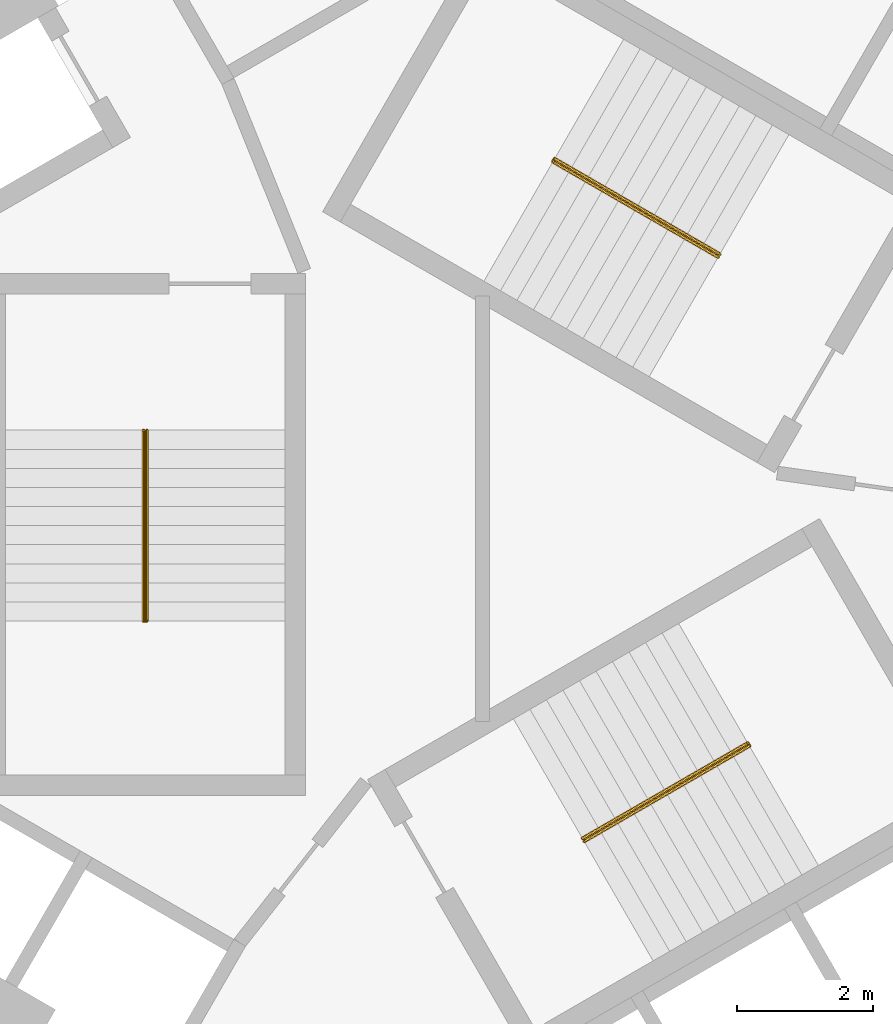
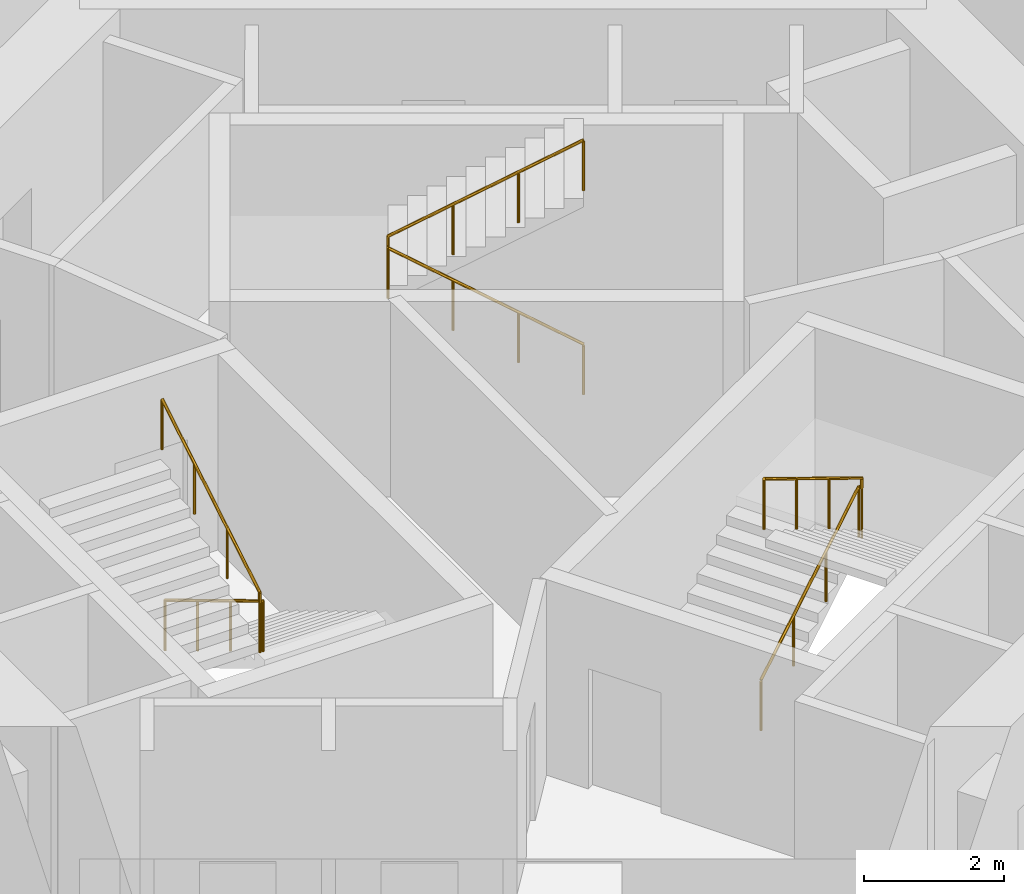
# One storey, part 10 of 10: 3 railings.
"""IFC4 building model written with IfcOpenShell, lengths in metres."""

from ifc_helpers import new_model, si_unit, direction, frame, origin, origin_2d, place, context, subcontext, project, spatial, circle, extrude, material, type_object, element, save


model = new_model("IFC4")

# Units and contexts
model_context = context("Model", 3, precision=1e-05, world=origin(), true_north=direction((0.0, 1.0)))
body_context = subcontext(model_context, "Body", "Model", "MODEL_VIEW")
ifc_project = project(units=[si_unit("LENGTHUNIT", "METRE"), si_unit("AREAUNIT", "SQUARE_METRE"), si_unit("VOLUMEUNIT", "CUBIC_METRE"), si_unit("PLANEANGLEUNIT", "RADIAN"), si_unit("MASSUNIT", "GRAM", prefix="KILO")], contexts=[model_context])

# Site, building, storey
site_placement = place(None, origin())
site = spatial("IfcSite", under=ifc_project, at=site_placement, CompositionType="ELEMENT")
building_placement = place(site_placement, origin())
building = spatial("IfcBuilding", under=site, at=building_placement, Name="Vanh Sen Convention Tower", CompositionType="ELEMENT")
storey_placement = place(building_placement, frame((0.0, 0.0, 161.39990234375)))
storey = spatial("IfcBuildingStorey", under=building, at=storey_placement, Name="L39", CompositionType="ELEMENT", Elevation=161.39990234375)

# Railings
ifc_material = material(Name="Stainless steel handrail", Category="steel")
railing_type = type_object("IfcRailingType", Name="Stair handrail 900", PredefinedType="HANDRAIL", material=ifc_material)
railing_1_placement = place(storey_placement, frame((3.45849609375, 3.690185546875, 0.168212890625)))
element("IfcRailing", 1, at=railing_1_placement, inside=storey, type_object=railing_type, Name="Stair handrail ST1 L39", PredefinedType="HANDRAIL", context=body_context, shape_type="SweptSolid", body=[
    extrude(circle(Radius=0.02392578125, at=origin_2d()), frame((0.0, 0.0, 0.8759765625), z_axis=(-0.742390482028, 0.42860119049, 0.514934356695), x_axis=(-0.49998411664, -0.866034573852, 0.0)), (0.0, 0.0, 1.0), 3.26611328125),
    extrude(circle(Radius=0.02392578125, at=origin_2d()), frame((-2.4248046875, 1.39990234375, 2.5576171875), z_axis=(0.497188445666, 0.867642581652, 0.0), x_axis=(-0.867642581652, 0.497188445666, 0.0)), (0.0, 0.0, 1.0), 0.050048828125),
    extrude(circle(Radius=0.02392578125, at=origin_2d()), frame((-2.39990234375, 1.443359375, 2.5576171875), z_axis=(0.0, 0.0, 1.0), x_axis=(1.0, 0.0, 0.0)), (0.0, 0.0, 1.0), 0.168212890625),
    extrude(circle(Radius=0.02392578125, at=origin_2d()), frame((-2.39990234375, 1.443359375, 2.72607421875), z_axis=(0.742366697286, -0.42866220388, 0.514917859203), x_axis=(0.500049511043, 0.865996816683, 0.0)), (0.0, 0.0, 1.0), 3.266357421875),
    extrude(circle(Radius=0.02099609375, at=origin_2d()), origin(), (0.0, 0.0, 1.0), 0.851806640625),
    extrude(circle(Radius=0.02099609375, at=origin_2d()), frame((-0.808349609375, 0.466552734375, 0.560546875)), (0.0, 0.0, 1.0), 0.851806640625),
    extrude(circle(Radius=0.02099609375, at=origin_2d()), frame((-1.616455078125, 0.933349609375, 1.121337890625)), (0.0, 0.0, 1.0), 0.851806640625),
    extrude(circle(Radius=0.02099609375, at=origin_2d()), frame((-2.4248046875, 1.39990234375, 1.681884765625)), (0.0, 0.0, 1.0), 0.851806640625),
    extrude(circle(Radius=0.02099609375, at=origin_2d()), frame((-2.39990234375, 1.443359375, 1.681884765625)), (0.0, 0.0, 1.0), 0.851806640625),
    extrude(circle(Radius=0.02099609375, at=origin_2d()), frame((-2.39990234375, 1.443359375, 1.85009765625)), (0.0, 0.0, 1.0), 0.851806640625),
    extrude(circle(Radius=0.02099609375, at=origin_2d()), frame((-1.591552734375, 0.9765625, 2.41064453125)), (0.0, 0.0, 1.0), 0.851806640625),
    extrude(circle(Radius=0.02099609375, at=origin_2d()), frame((-0.783447265625, 0.510009765625, 2.971435546875)), (0.0, 0.0, 1.0), 0.851806640625),
    extrude(circle(Radius=0.02099609375, at=origin_2d()), frame((0.02490234375, 0.043212890625, 3.531982421875)), (0.0, 0.0, 1.0), 0.851806640625),
])
railing_2_placement = place(storey_placement, frame((-4.925048828125, 1.14990234375, 0.168212890625)))
element("IfcRailing", 2, at=railing_2_placement, inside=storey, type_object=railing_type, Name="Stair handrail ST2 L39", PredefinedType="HANDRAIL", context=body_context, shape_type="SweptSolid", body=[
    extrude(circle(Radius=0.02392578125, at=origin_2d()), frame((0.0, 0.0, 0.8759765625), z_axis=(0.0, -0.857222391501, 0.514946377315), x_axis=(1.0, 0.0, 0.0)), (0.0, 0.0, 1.0), 3.26611328125),
    extrude(circle(Radius=0.02392578125, at=origin_2d()), frame((0.0, -2.7998046875, 2.5576171875), z_axis=(-1.0, 0.0, 0.0), x_axis=(0.0, -1.0, 0.0)), (0.0, 0.0, 1.0), 0.050048828125),
    extrude(circle(Radius=0.02392578125, at=origin_2d()), frame((-0.050048828125, -2.7998046875, 2.5576171875), z_axis=(0.0, 0.0, 1.0), x_axis=(1.0, 0.0, 0.0)), (0.0, 0.0, 1.0), 0.168212890625),
    extrude(circle(Radius=0.02392578125, at=origin_2d()), frame((-0.050048828125, -2.7998046875, 2.72607421875), z_axis=(0.0, 0.857222391501, 0.514946377315), x_axis=(-1.0, 0.0, 0.0)), (0.0, 0.0, 1.0), 3.26611328125),
    extrude(circle(Radius=0.02099609375, at=origin_2d()), origin(), (0.0, 0.0, 1.0), 0.851806640625),
    extrude(circle(Radius=0.02099609375, at=origin_2d()), frame((0.0, -0.933349609375, 0.560546875)), (0.0, 0.0, 1.0), 0.851806640625),
    extrude(circle(Radius=0.02099609375, at=origin_2d()), frame((0.0, -1.866455078125, 1.121337890625)), (0.0, 0.0, 1.0), 0.851806640625),
    extrude(circle(Radius=0.02099609375, at=origin_2d()), frame((0.0, -2.7998046875, 1.681884765625)), (0.0, 0.0, 1.0), 0.851806640625),
    extrude(circle(Radius=0.02099609375, at=origin_2d()), frame((-0.050048828125, -2.7998046875, 1.681884765625)), (0.0, 0.0, 1.0), 0.851806640625),
    extrude(circle(Radius=0.02099609375, at=origin_2d()), frame((-0.050048828125, -2.7998046875, 1.85009765625)), (0.0, 0.0, 1.0), 0.851806640625),
    extrude(circle(Radius=0.02099609375, at=origin_2d()), frame((-0.050048828125, -1.866455078125, 2.41064453125)), (0.0, 0.0, 1.0), 0.851806640625),
    extrude(circle(Radius=0.02099609375, at=origin_2d()), frame((-0.050048828125, -0.933349609375, 2.971435546875)), (0.0, 0.0, 1.0), 0.851806640625),
    extrude(circle(Radius=0.02099609375, at=origin_2d()), frame((-0.050048828125, 0.0, 3.531982421875)), (0.0, 0.0, 1.0), 0.851806640625),
])
railing_3_placement = place(storey_placement, frame((1.466552734375, -4.840087890625, 0.168212890625)))
element("IfcRailing", 3, at=railing_3_placement, inside=storey, type_object=railing_type, Name="Stair handrail ST3 L39", PredefinedType="HANDRAIL", context=body_context, shape_type="SweptSolid", body=[
    extrude(circle(Radius=0.02392578125, at=origin_2d()), frame((0.0, 0.0, 0.8759765625), z_axis=(0.742390482028, 0.42860119049, 0.514934356695), x_axis=(-0.49998411664, 0.866034573852, 0.0)), (0.0, 0.0, 1.0), 3.26611328125),
    extrude(circle(Radius=0.02392578125, at=origin_2d()), frame((2.4248046875, 1.39990234375, 2.5576171875), z_axis=(0.502959906984, -0.86430974307, 0.0), x_axis=(0.86430974307, 0.502959906984, 0.0)), (0.0, 0.0, 1.0), 0.050048828125),
    extrude(circle(Radius=0.02392578125, at=origin_2d()), frame((2.449951171875, 1.356689453125, 2.5576171875), z_axis=(0.0, 0.0, 1.0), x_axis=(1.0, 0.0, 0.0)), (0.0, 0.0, 1.0), 0.168212890625),
    extrude(circle(Radius=0.02392578125, at=origin_2d()), frame((2.449951171875, 1.356689453125, 2.72607421875), z_axis=(-0.742366697286, -0.42866220388, 0.514917859203), x_axis=(0.500049511043, -0.865996816683, 0.0)), (0.0, 0.0, 1.0), 3.266357421875),
    extrude(circle(Radius=0.02099609375, at=origin_2d()), origin(), (0.0, 0.0, 1.0), 0.851806640625),
    extrude(circle(Radius=0.02099609375, at=origin_2d()), frame((0.808349609375, 0.466552734375, 0.560546875)), (0.0, 0.0, 1.0), 0.851806640625),
    extrude(circle(Radius=0.02099609375, at=origin_2d()), frame((1.616455078125, 0.933349609375, 1.121337890625)), (0.0, 0.0, 1.0), 0.851806640625),
    extrude(circle(Radius=0.02099609375, at=origin_2d()), frame((2.4248046875, 1.39990234375, 1.681884765625)), (0.0, 0.0, 1.0), 0.851806640625),
    extrude(circle(Radius=0.02099609375, at=origin_2d()), frame((2.449951171875, 1.356689453125, 1.681884765625)), (0.0, 0.0, 1.0), 0.851806640625),
    extrude(circle(Radius=0.02099609375, at=origin_2d()), frame((2.449951171875, 1.356689453125, 1.85009765625)), (0.0, 0.0, 1.0), 0.851806640625),
    extrude(circle(Radius=0.02099609375, at=origin_2d()), frame((1.6416015625, 0.889892578125, 2.41064453125)), (0.0, 0.0, 1.0), 0.851806640625),
    extrude(circle(Radius=0.02099609375, at=origin_2d()), frame((0.83349609375, 0.42333984375, 2.971435546875)), (0.0, 0.0, 1.0), 0.851806640625),
    extrude(circle(Radius=0.02099609375, at=origin_2d()), frame((0.025146484375, -0.04345703125, 3.531982421875)), (0.0, 0.0, 1.0), 0.851806640625),
])

save(model, "model.ifc")
